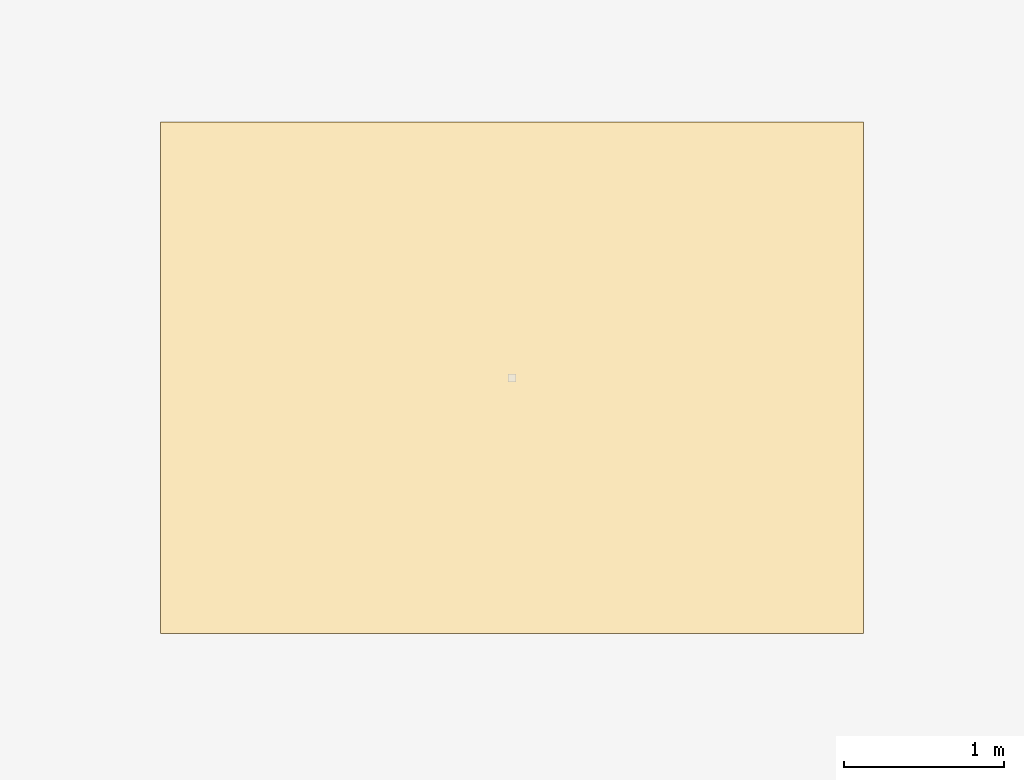
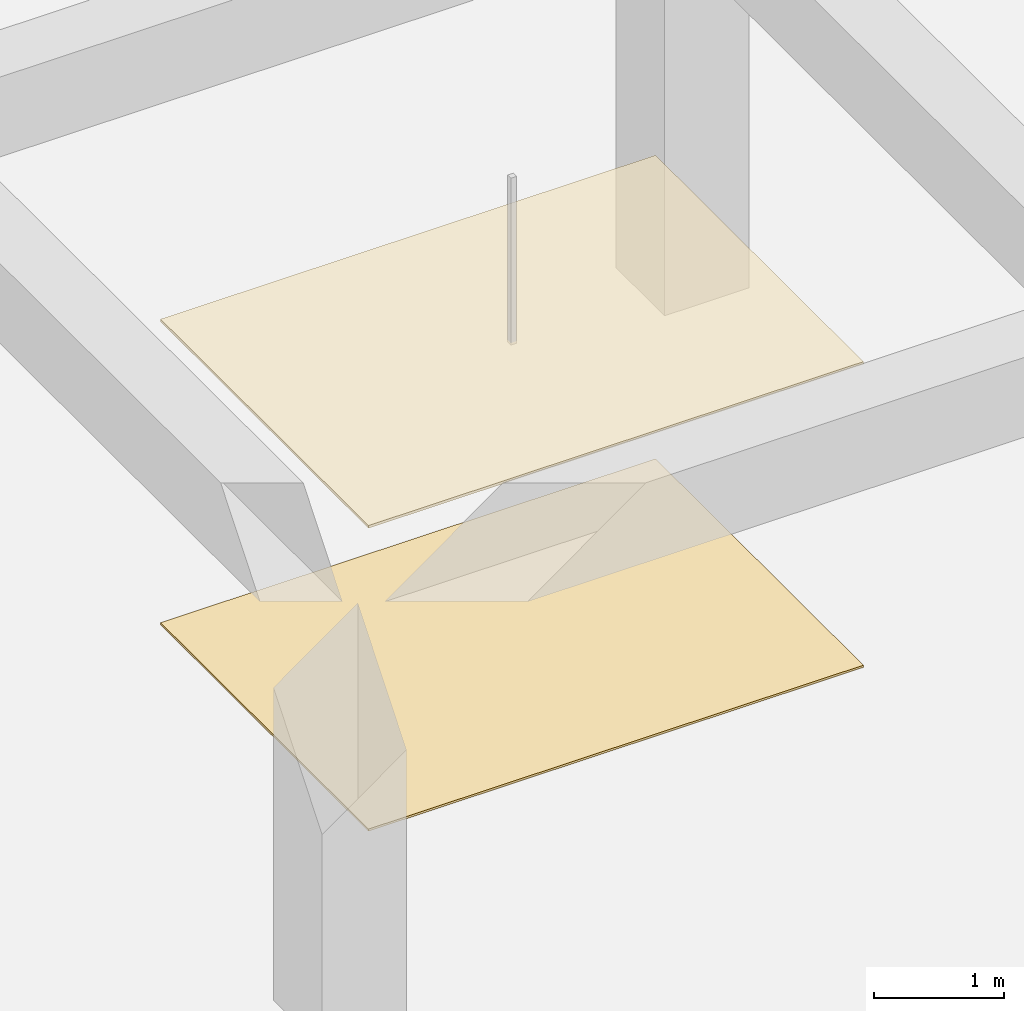
# One storey, part 48 of 48: 2 coverings.
"""IFC4 building model written with IfcOpenShell, lengths in metres."""

from ifc_helpers import new_model, si_unit, direction, frame, origin, origin_2d, place, context, subcontext, project, spatial, rectangle, extrude, material, layer, layer_set, type_object, element, save


model = new_model("IFC4")

# Units and contexts
model_context = context("Model", 3, precision=1e-05, world=origin(), true_north=direction((0.0, 1.0)))
body_context = subcontext(model_context, "Body", "Model", "MODEL_VIEW")
ifc_project = project(units=[si_unit("LENGTHUNIT", "METRE"), si_unit("AREAUNIT", "SQUARE_METRE"), si_unit("VOLUMEUNIT", "CUBIC_METRE"), si_unit("PLANEANGLEUNIT", "RADIAN"), si_unit("MASSUNIT", "GRAM", prefix="KILO")], contexts=[model_context])

# Site, building, storey
site_placement = place(None, origin())
site = spatial("IfcSite", under=ifc_project, at=site_placement, CompositionType="ELEMENT")
building_placement = place(site_placement, origin())
building = spatial("IfcBuilding", under=site, at=building_placement, Name="Kazehaya Institute of Natural Sciences", CompositionType="ELEMENT")
storey_placement = place(building_placement, frame((0.0, 0.0, 19.800048828125)))
storey = spatial("IfcBuildingStorey", under=building, at=storey_placement, Name="L04", CompositionType="ELEMENT", Elevation=19.800048828125)

# Coverings
ifc_material_1 = material(Name="Mineral-fibre acoustic ceiling tile")
ifc_layer_1 = layer(ifc_material_1, 0.02490234375, Name="Mineral-fibre acoustic ceiling tile")
ifc_layer_set_1 = layer_set([ifc_layer_1], Name="Mineral-fibre acoustic ceiling tile")
covering_type_1 = type_object("IfcCoveringType", Name="COV-CEIL-AC", PredefinedType="CEILING", material=ifc_layer_set_1)
covering_1_placement = place(storey_placement, frame((101.39208984375, 103.973388671875, 2.847412109375), z_axis=(0.0, 0.0, 1.0), x_axis=(1.0, 0.0, 0.0)))
element("IfcCovering", 1, at=covering_1_placement, inside=storey, type_object=covering_type_1, Name="L04 Photonics Optics Laboratory ceiling 46", PredefinedType="CEILING", context=body_context, shape_type="SweptSolid", body=[
    extrude(rectangle(XDim=4.39990234375, YDim=3.199951171875, at=origin_2d()), origin(), (0.0, 0.0, 1.0), 0.02490234375),
])
ifc_material_2 = material(Name="Polished Sawara stone terrazzo flooring", Category="masonry")
ifc_layer_2 = layer(ifc_material_2, 0.02001953125, Name="Polished Sawara stone terrazzo flooring", Category="masonry")
ifc_layer_set_2 = layer_set([ifc_layer_2], Name="Polished Sawara stone terrazzo flooring")
covering_type_2 = type_object("IfcCoveringType", Name="COV-FLR-TRZ", PredefinedType="FLOORING", material=ifc_layer_set_2)
covering_2_placement = place(storey_placement, frame((101.39208984375, 103.973388671875, 0.0), z_axis=(0.0, 0.0, 1.0), x_axis=(1.0, 0.0, 0.0)))
element("IfcCovering", 2, at=covering_2_placement, inside=storey, type_object=covering_type_2, Name="L04 Photonics Optics Laboratory finish flooring 46", PredefinedType="FLOORING", context=body_context, shape_type="SweptSolid", body=[
    extrude(rectangle(XDim=4.39990234375, YDim=3.199951171875, at=origin_2d()), origin(), (0.0, 0.0, 1.0), 0.02001953125),
])

save(model, "model.ifc")
